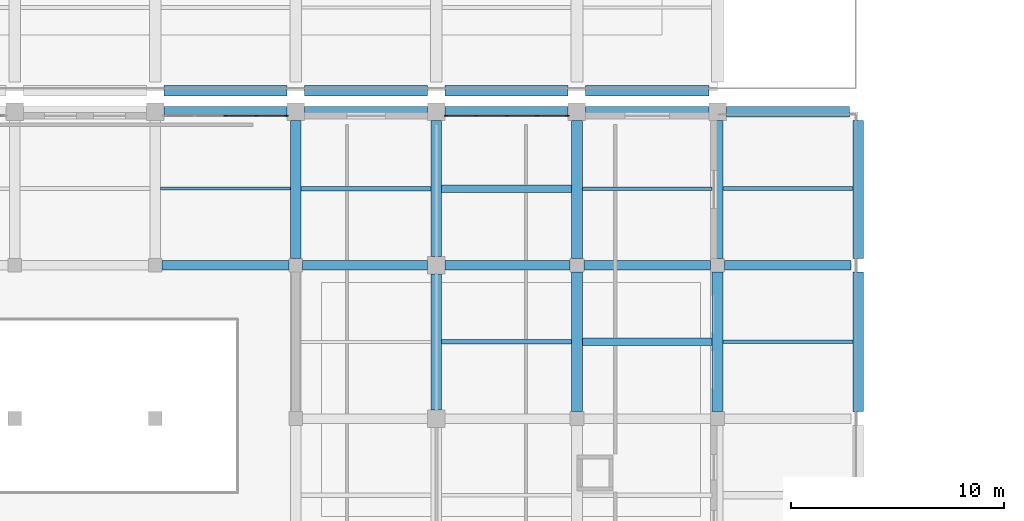
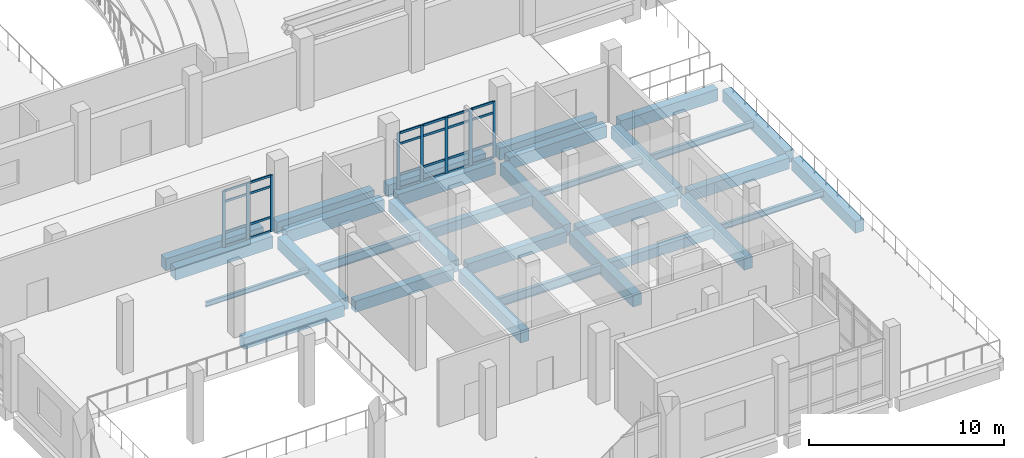
# One storey, part 7 of 54: 32 members, 31 beams, 2 elements without a shape of their own.
"""IFC4 building model written with IfcOpenShell, lengths in metres."""

from ifc_helpers import new_model, si_unit, direction, frame, origin, origin_2d, place, context, subcontext, project, spatial, rectangle, i_section, extrude, material, layer, layer_set, material_profile, profile_set, type_object, element, aggregate, save


model = new_model("IFC4")

# Units and contexts
model_context = context("Model", 3, precision=1e-05, world=origin(), true_north=direction((0.0, 1.0)))
body_context = subcontext(model_context, "Body", "Model", "MODEL_VIEW")
ifc_project = project(units=[si_unit("LENGTHUNIT", "METRE"), si_unit("AREAUNIT", "SQUARE_METRE"), si_unit("VOLUMEUNIT", "CUBIC_METRE"), si_unit("PLANEANGLEUNIT", "RADIAN"), si_unit("MASSUNIT", "GRAM", prefix="KILO")], contexts=[model_context])

# Site, building, storey
site_placement = place(None, origin())
site = spatial("IfcSite", under=ifc_project, at=site_placement, CompositionType="ELEMENT")
building_placement = place(site_placement, origin())
building = spatial("IfcBuilding", under=site, at=building_placement, Name="Kelarvand Opera House", CompositionType="ELEMENT")
storey_placement = place(building_placement, frame((0.0, 0.0, 15.0)))
storey = spatial("IfcBuildingStorey", under=building, at=storey_placement, Name="L03", CompositionType="ELEMENT", Elevation=15.0)

# Curtain wall, members
ifc_material_1 = material(Name="Thermally broken aluminium and low-E glazing", Category="aluminium")
ifc_layer = layer(ifc_material_1, 0.179931640625, Name="Thermally broken aluminium and low-E glazing", Category="aluminium")
ifc_layer_set = layer_set([ifc_layer], Name="Thermally broken aluminium and low-E glazing")
curtain_wall_type = type_object("IfcCurtainWallType", Name="Unitised Low-E Curtain Wall 5760x3530 Mod 1350 CWF-58", PredefinedType="USERDEFINED", material=ifc_layer_set)
curtain_wall_1_placement = place(storey_placement, origin())
curtain_wall_1 = element("IfcCurtainWall", 1, at=curtain_wall_1_placement, inside=storey, type_object=curtain_wall_type, Name="V6 L03 Curtain Wall CWF-58 (232)", ObjectType="UNITISED CURTAIN WALL", PredefinedType="USERDEFINED")
ifc_material_2 = material(Name="Thermally broken anodised aluminium", Category="aluminium")
ifc_material_profile_1 = material_profile(ifc_material_2, rectangle(XDim=0.06494140625, YDim=0.179931640625, at=origin_2d()), Name="ALU MULLION 65x180", Category="aluminium")
ifc_profile_set_1 = profile_set([ifc_material_profile_1], Name="Thermally broken anodised aluminium")
member_type_1 = type_object("IfcMemberType", Name="Curtain Wall Mullion 65x180 Aluminium", PredefinedType="MULLION", material=ifc_profile_set_1)
member_1_placement = place(storey_placement, frame((105.5, 37.6201171875, 0.0), z_axis=(0.0, 0.0, 1.0), x_axis=(0.0, 1.0, 0.0)))
member_1 = element("IfcMember", 2, at=member_1_placement, type_object=member_type_1, Name="CWF-58 mullion 3", PredefinedType="MULLION", context=body_context, shape_type="SweptSolid", body=[
    extrude(rectangle(XDim=0.06494140625, YDim=0.179931640625, at=origin_2d()), origin(), (0.0, 0.0, 1.0), 3.530029296875),
])
member_2_placement = place(storey_placement, frame((106.93994140625, 37.6201171875, 0.0), z_axis=(0.0, 0.0, 1.0), x_axis=(0.0, 1.0, 0.0)))
member_2 = element("IfcMember", 3, at=member_2_placement, type_object=member_type_1, Name="CWF-58 mullion 4", PredefinedType="MULLION", context=body_context, shape_type="SweptSolid", body=[
    extrude(rectangle(XDim=0.06494140625, YDim=0.179931640625, at=origin_2d()), origin(), (0.0, 0.0, 1.0), 3.530029296875),
])
member_3_placement = place(storey_placement, frame((108.347412109375, 37.6201171875, 0.0), z_axis=(0.0, 0.0, 1.0), x_axis=(0.0, 1.0, 0.0)))
member_3 = element("IfcMember", 4, at=member_3_placement, type_object=member_type_1, Name="CWF-58 mullion 5", PredefinedType="MULLION", context=body_context, shape_type="SweptSolid", body=[
    extrude(rectangle(XDim=0.06494140625, YDim=0.179931640625, at=origin_2d()), origin(), (0.0, 0.0, 1.0), 3.530029296875),
])

curtain_wall_2_placement = place(storey_placement, origin())
curtain_wall_2 = element("IfcCurtainWall", 5, at=curtain_wall_2_placement, inside=storey, type_object=curtain_wall_type, Name="V6 L03 Curtain Wall CWF-58 (233)", ObjectType="UNITISED CURTAIN WALL", PredefinedType="USERDEFINED")
member_4_placement = place(storey_placement, frame((115.8525390625, 37.6201171875, 0.0), z_axis=(0.0, 0.0, 1.0), x_axis=(0.0, 1.0, 0.0)))
member_4 = element("IfcMember", 6, at=member_4_placement, type_object=member_type_1, Name="CWF-58 mullion 1", PredefinedType="MULLION", context=body_context, shape_type="SweptSolid", body=[
    extrude(rectangle(XDim=0.06494140625, YDim=0.179931640625, at=origin_2d()), origin(), (0.0, 0.0, 1.0), 3.530029296875),
])
member_5_placement = place(storey_placement, frame((117.260009765625, 37.6201171875, 0.0), z_axis=(0.0, 0.0, 1.0), x_axis=(0.0, 1.0, 0.0)))
member_5 = element("IfcMember", 7, at=member_5_placement, type_object=member_type_1, Name="CWF-58 mullion 2", PredefinedType="MULLION", context=body_context, shape_type="SweptSolid", body=[
    extrude(rectangle(XDim=0.06494140625, YDim=0.179931640625, at=origin_2d()), origin(), (0.0, 0.0, 1.0), 3.530029296875),
])
member_6_placement = place(storey_placement, frame((118.699951171875, 37.6201171875, 0.0), z_axis=(0.0, 0.0, 1.0), x_axis=(0.0, 1.0, 0.0)))
member_6 = element("IfcMember", 8, at=member_6_placement, type_object=member_type_1, Name="CWF-58 mullion 3", PredefinedType="MULLION", context=body_context, shape_type="SweptSolid", body=[
    extrude(rectangle(XDim=0.06494140625, YDim=0.179931640625, at=origin_2d()), origin(), (0.0, 0.0, 1.0), 3.530029296875),
])
member_7_placement = place(storey_placement, frame((120.139892578125, 37.6201171875, 0.0), z_axis=(0.0, 0.0, 1.0), x_axis=(0.0, 1.0, 0.0)))
member_7 = element("IfcMember", 9, at=member_7_placement, type_object=member_type_1, Name="CWF-58 mullion 4", PredefinedType="MULLION", context=body_context, shape_type="SweptSolid", body=[
    extrude(rectangle(XDim=0.06494140625, YDim=0.179931640625, at=origin_2d()), origin(), (0.0, 0.0, 1.0), 3.530029296875),
])
member_8_placement = place(storey_placement, frame((121.547607421875, 37.6201171875, 0.0), z_axis=(0.0, 0.0, 1.0), x_axis=(0.0, 1.0, 0.0)))
member_8 = element("IfcMember", 10, at=member_8_placement, type_object=member_type_1, Name="CWF-58 mullion 5", PredefinedType="MULLION", context=body_context, shape_type="SweptSolid", body=[
    extrude(rectangle(XDim=0.06494140625, YDim=0.179931640625, at=origin_2d()), origin(), (0.0, 0.0, 1.0), 3.530029296875),
])

# Member
ifc_material_profile_2 = material_profile(ifc_material_2, rectangle(XDim=0.06494140625, YDim=0.139892578125, at=origin_2d()), Name="ALU TRANSOM 65x140", Category="aluminium")
ifc_profile_set_2 = profile_set([ifc_material_profile_2], Name="Thermally broken anodised aluminium")
member_type_2 = type_object("IfcMemberType", Name="Curtain Wall Transom 65x140 Aluminium", PredefinedType="USERDEFINED", material=ifc_profile_set_2)
member_9_placement = place(storey_placement, frame((105.532470703125, 37.6201171875, 0.032470703125), z_axis=(1.0, 0.0, 0.0), x_axis=(0.0, 1.0, 0.0)))
member_9 = element("IfcMember", 11, at=member_9_placement, type_object=member_type_2, Name="CWF-58 transom 3.1", ObjectType="TRANSOM", PredefinedType="USERDEFINED", context=body_context, shape_type="SweptSolid", body=[
    extrude(rectangle(XDim=0.06494140625, YDim=0.139892578125, at=origin_2d()), origin(), (0.0, 0.0, 1.0), 1.375),
])

member_10_placement = place(storey_placement, frame((105.532470703125, 37.6201171875, 0.89990234375), z_axis=(1.0, 0.0, 0.0), x_axis=(0.0, 1.0, 0.0)))
member_10 = element("IfcMember", 12, at=member_10_placement, type_object=member_type_2, Name="CWF-58 transom 3.2", ObjectType="TRANSOM", PredefinedType="USERDEFINED", context=body_context, shape_type="SweptSolid", body=[
    extrude(rectangle(XDim=0.06494140625, YDim=0.139892578125, at=origin_2d()), origin(), (0.0, 0.0, 1.0), 1.375),
])

member_11_placement = place(storey_placement, frame((105.532470703125, 37.6201171875, 2.830078125), z_axis=(1.0, 0.0, 0.0), x_axis=(0.0, 1.0, 0.0)))
member_11 = element("IfcMember", 13, at=member_11_placement, type_object=member_type_2, Name="CWF-58 transom 3.3", ObjectType="TRANSOM", PredefinedType="USERDEFINED", context=body_context, shape_type="SweptSolid", body=[
    extrude(rectangle(XDim=0.06494140625, YDim=0.139892578125, at=origin_2d()), origin(), (0.0, 0.0, 1.0), 1.375),
])

member_12_placement = place(storey_placement, frame((105.532470703125, 37.6201171875, 3.49755859375), z_axis=(1.0, 0.0, 0.0), x_axis=(0.0, 1.0, 0.0)))
member_12 = element("IfcMember", 14, at=member_12_placement, type_object=member_type_2, Name="CWF-58 transom 3.4", ObjectType="TRANSOM", PredefinedType="USERDEFINED", context=body_context, shape_type="SweptSolid", body=[
    extrude(rectangle(XDim=0.06494140625, YDim=0.139892578125, at=origin_2d()), origin(), (0.0, 0.0, 1.0), 1.375),
])

member_13_placement = place(storey_placement, frame((106.972412109375, 37.6201171875, 0.032470703125), z_axis=(1.0, 0.0, 0.0), x_axis=(0.0, 1.0, 0.0)))
member_13 = element("IfcMember", 15, at=member_13_placement, type_object=member_type_2, Name="CWF-58 transom 4.1", ObjectType="TRANSOM", PredefinedType="USERDEFINED", context=body_context, shape_type="SweptSolid", body=[
    extrude(rectangle(XDim=0.06494140625, YDim=0.139892578125, at=origin_2d()), origin(), (0.0, 0.0, 1.0), 1.342529296875),
])

member_14_placement = place(storey_placement, frame((106.972412109375, 37.6201171875, 0.89990234375), z_axis=(1.0, 0.0, 0.0), x_axis=(0.0, 1.0, 0.0)))
member_14 = element("IfcMember", 16, at=member_14_placement, type_object=member_type_2, Name="CWF-58 transom 4.2", ObjectType="TRANSOM", PredefinedType="USERDEFINED", context=body_context, shape_type="SweptSolid", body=[
    extrude(rectangle(XDim=0.06494140625, YDim=0.139892578125, at=origin_2d()), origin(), (0.0, 0.0, 1.0), 1.342529296875),
])

member_15_placement = place(storey_placement, frame((106.972412109375, 37.6201171875, 2.830078125), z_axis=(1.0, 0.0, 0.0), x_axis=(0.0, 1.0, 0.0)))
member_15 = element("IfcMember", 17, at=member_15_placement, type_object=member_type_2, Name="CWF-58 transom 4.3", ObjectType="TRANSOM", PredefinedType="USERDEFINED", context=body_context, shape_type="SweptSolid", body=[
    extrude(rectangle(XDim=0.06494140625, YDim=0.139892578125, at=origin_2d()), origin(), (0.0, 0.0, 1.0), 1.342529296875),
])

member_16_placement = place(storey_placement, frame((106.972412109375, 37.6201171875, 3.49755859375), z_axis=(1.0, 0.0, 0.0), x_axis=(0.0, 1.0, 0.0)))
member_16 = element("IfcMember", 18, at=member_16_placement, type_object=member_type_2, Name="CWF-58 transom 4.4", ObjectType="TRANSOM", PredefinedType="USERDEFINED", context=body_context, shape_type="SweptSolid", body=[
    extrude(rectangle(XDim=0.06494140625, YDim=0.139892578125, at=origin_2d()), origin(), (0.0, 0.0, 1.0), 1.342529296875),
])

aggregate(curtain_wall_1, [member_1, member_2, member_3, member_9, member_10, member_11, member_12, member_13, member_14, member_15, member_16])

member_17_placement = place(storey_placement, frame((115.885009765625, 37.6201171875, 0.032470703125), z_axis=(1.0, 0.0, 0.0), x_axis=(0.0, 1.0, 0.0)))
member_17 = element("IfcMember", 19, at=member_17_placement, type_object=member_type_2, Name="CWF-58 transom 1.1", ObjectType="TRANSOM", PredefinedType="USERDEFINED", context=body_context, shape_type="SweptSolid", body=[
    extrude(rectangle(XDim=0.06494140625, YDim=0.139892578125, at=origin_2d()), origin(), (0.0, 0.0, 1.0), 1.342529296875),
])

member_18_placement = place(storey_placement, frame((115.885009765625, 37.6201171875, 0.89990234375), z_axis=(1.0, 0.0, 0.0), x_axis=(0.0, 1.0, 0.0)))
member_18 = element("IfcMember", 20, at=member_18_placement, type_object=member_type_2, Name="CWF-58 transom 1.2", ObjectType="TRANSOM", PredefinedType="USERDEFINED", context=body_context, shape_type="SweptSolid", body=[
    extrude(rectangle(XDim=0.06494140625, YDim=0.139892578125, at=origin_2d()), origin(), (0.0, 0.0, 1.0), 1.342529296875),
])

member_19_placement = place(storey_placement, frame((115.885009765625, 37.6201171875, 2.830078125), z_axis=(1.0, 0.0, 0.0), x_axis=(0.0, 1.0, 0.0)))
member_19 = element("IfcMember", 21, at=member_19_placement, type_object=member_type_2, Name="CWF-58 transom 1.3", ObjectType="TRANSOM", PredefinedType="USERDEFINED", context=body_context, shape_type="SweptSolid", body=[
    extrude(rectangle(XDim=0.06494140625, YDim=0.139892578125, at=origin_2d()), origin(), (0.0, 0.0, 1.0), 1.342529296875),
])

member_20_placement = place(storey_placement, frame((115.885009765625, 37.6201171875, 3.49755859375), z_axis=(1.0, 0.0, 0.0), x_axis=(0.0, 1.0, 0.0)))
member_20 = element("IfcMember", 22, at=member_20_placement, type_object=member_type_2, Name="CWF-58 transom 1.4", ObjectType="TRANSOM", PredefinedType="USERDEFINED", context=body_context, shape_type="SweptSolid", body=[
    extrude(rectangle(XDim=0.06494140625, YDim=0.139892578125, at=origin_2d()), origin(), (0.0, 0.0, 1.0), 1.342529296875),
])

member_21_placement = place(storey_placement, frame((117.29248046875, 37.6201171875, 0.032470703125), z_axis=(1.0, 0.0, 0.0), x_axis=(0.0, 1.0, 0.0)))
member_21 = element("IfcMember", 23, at=member_21_placement, type_object=member_type_2, Name="CWF-58 transom 2.1", ObjectType="TRANSOM", PredefinedType="USERDEFINED", context=body_context, shape_type="SweptSolid", body=[
    extrude(rectangle(XDim=0.06494140625, YDim=0.139892578125, at=origin_2d()), origin(), (0.0, 0.0, 1.0), 1.375),
])

member_22_placement = place(storey_placement, frame((117.29248046875, 37.6201171875, 0.89990234375), z_axis=(1.0, 0.0, 0.0), x_axis=(0.0, 1.0, 0.0)))
member_22 = element("IfcMember", 24, at=member_22_placement, type_object=member_type_2, Name="CWF-58 transom 2.2", ObjectType="TRANSOM", PredefinedType="USERDEFINED", context=body_context, shape_type="SweptSolid", body=[
    extrude(rectangle(XDim=0.06494140625, YDim=0.139892578125, at=origin_2d()), origin(), (0.0, 0.0, 1.0), 1.375),
])

member_23_placement = place(storey_placement, frame((117.29248046875, 37.6201171875, 2.830078125), z_axis=(1.0, 0.0, 0.0), x_axis=(0.0, 1.0, 0.0)))
member_23 = element("IfcMember", 25, at=member_23_placement, type_object=member_type_2, Name="CWF-58 transom 2.3", ObjectType="TRANSOM", PredefinedType="USERDEFINED", context=body_context, shape_type="SweptSolid", body=[
    extrude(rectangle(XDim=0.06494140625, YDim=0.139892578125, at=origin_2d()), origin(), (0.0, 0.0, 1.0), 1.375),
])

member_24_placement = place(storey_placement, frame((117.29248046875, 37.6201171875, 3.49755859375), z_axis=(1.0, 0.0, 0.0), x_axis=(0.0, 1.0, 0.0)))
member_24 = element("IfcMember", 26, at=member_24_placement, type_object=member_type_2, Name="CWF-58 transom 2.4", ObjectType="TRANSOM", PredefinedType="USERDEFINED", context=body_context, shape_type="SweptSolid", body=[
    extrude(rectangle(XDim=0.06494140625, YDim=0.139892578125, at=origin_2d()), origin(), (0.0, 0.0, 1.0), 1.375),
])

member_25_placement = place(storey_placement, frame((118.732421875, 37.6201171875, 0.032470703125), z_axis=(1.0, 0.0, 0.0), x_axis=(0.0, 1.0, 0.0)))
member_25 = element("IfcMember", 27, at=member_25_placement, type_object=member_type_2, Name="CWF-58 transom 3.1", ObjectType="TRANSOM", PredefinedType="USERDEFINED", context=body_context, shape_type="SweptSolid", body=[
    extrude(rectangle(XDim=0.06494140625, YDim=0.139892578125, at=origin_2d()), origin(), (0.0, 0.0, 1.0), 1.375),
])

member_26_placement = place(storey_placement, frame((118.732421875, 37.6201171875, 0.89990234375), z_axis=(1.0, 0.0, 0.0), x_axis=(0.0, 1.0, 0.0)))
member_26 = element("IfcMember", 28, at=member_26_placement, type_object=member_type_2, Name="CWF-58 transom 3.2", ObjectType="TRANSOM", PredefinedType="USERDEFINED", context=body_context, shape_type="SweptSolid", body=[
    extrude(rectangle(XDim=0.06494140625, YDim=0.139892578125, at=origin_2d()), origin(), (0.0, 0.0, 1.0), 1.375),
])

member_27_placement = place(storey_placement, frame((118.732421875, 37.6201171875, 2.830078125), z_axis=(1.0, 0.0, 0.0), x_axis=(0.0, 1.0, 0.0)))
member_27 = element("IfcMember", 29, at=member_27_placement, type_object=member_type_2, Name="CWF-58 transom 3.3", ObjectType="TRANSOM", PredefinedType="USERDEFINED", context=body_context, shape_type="SweptSolid", body=[
    extrude(rectangle(XDim=0.06494140625, YDim=0.139892578125, at=origin_2d()), origin(), (0.0, 0.0, 1.0), 1.375),
])

member_28_placement = place(storey_placement, frame((118.732421875, 37.6201171875, 3.49755859375), z_axis=(1.0, 0.0, 0.0), x_axis=(0.0, 1.0, 0.0)))
member_28 = element("IfcMember", 30, at=member_28_placement, type_object=member_type_2, Name="CWF-58 transom 3.4", ObjectType="TRANSOM", PredefinedType="USERDEFINED", context=body_context, shape_type="SweptSolid", body=[
    extrude(rectangle(XDim=0.06494140625, YDim=0.139892578125, at=origin_2d()), origin(), (0.0, 0.0, 1.0), 1.375),
])

member_29_placement = place(storey_placement, frame((120.172607421875, 37.6201171875, 0.032470703125), z_axis=(1.0, 0.0, 0.0), x_axis=(0.0, 1.0, 0.0)))
member_29 = element("IfcMember", 31, at=member_29_placement, type_object=member_type_2, Name="CWF-58 transom 4.1", ObjectType="TRANSOM", PredefinedType="USERDEFINED", context=body_context, shape_type="SweptSolid", body=[
    extrude(rectangle(XDim=0.06494140625, YDim=0.139892578125, at=origin_2d()), origin(), (0.0, 0.0, 1.0), 1.34228515625),
])

member_30_placement = place(storey_placement, frame((120.172607421875, 37.6201171875, 0.89990234375), z_axis=(1.0, 0.0, 0.0), x_axis=(0.0, 1.0, 0.0)))
member_30 = element("IfcMember", 32, at=member_30_placement, type_object=member_type_2, Name="CWF-58 transom 4.2", ObjectType="TRANSOM", PredefinedType="USERDEFINED", context=body_context, shape_type="SweptSolid", body=[
    extrude(rectangle(XDim=0.06494140625, YDim=0.139892578125, at=origin_2d()), origin(), (0.0, 0.0, 1.0), 1.34228515625),
])

member_31_placement = place(storey_placement, frame((120.172607421875, 37.6201171875, 2.830078125), z_axis=(1.0, 0.0, 0.0), x_axis=(0.0, 1.0, 0.0)))
member_31 = element("IfcMember", 33, at=member_31_placement, type_object=member_type_2, Name="CWF-58 transom 4.3", ObjectType="TRANSOM", PredefinedType="USERDEFINED", context=body_context, shape_type="SweptSolid", body=[
    extrude(rectangle(XDim=0.06494140625, YDim=0.139892578125, at=origin_2d()), origin(), (0.0, 0.0, 1.0), 1.34228515625),
])

member_32_placement = place(storey_placement, frame((120.172607421875, 37.6201171875, 3.49755859375), z_axis=(1.0, 0.0, 0.0), x_axis=(0.0, 1.0, 0.0)))
member_32 = element("IfcMember", 34, at=member_32_placement, type_object=member_type_2, Name="CWF-58 transom 4.4", ObjectType="TRANSOM", PredefinedType="USERDEFINED", context=body_context, shape_type="SweptSolid", body=[
    extrude(rectangle(XDim=0.06494140625, YDim=0.139892578125, at=origin_2d()), origin(), (0.0, 0.0, 1.0), 1.34228515625),
])

aggregate(curtain_wall_2, [member_4, member_5, member_6, member_7, member_8, member_17, member_18, member_19, member_20, member_21, member_22, member_23, member_24, member_25, member_26, member_27, member_28, member_29, member_30, member_31, member_32])

# Beams
ifc_material_3 = material(Name="Concrete C35/45", Category="concrete")
ifc_material_profile_3 = material_profile(ifc_material_3, rectangle(XDim=0.35009765625, YDim=0.60009765625, at=origin_2d()), Name="RC 350x600", Category="concrete")
ifc_profile_set_3 = profile_set([ifc_material_profile_3], Name="Concrete C35/45")
beam_type_1 = type_object("IfcBeamType", Name="Structural Beam RC 350x600 BM-RC350x600", PredefinedType="BEAM", material=ifc_profile_set_3)
for number, where, z_axis, x_axis, name in (
    (35, (115.64990234375, 34.199951171875, -0.60009765625), (1.0, 0.0, 0.0), (0.0, 1.0, 0.0), "V6 L03 Beam BM-RC350x600"),
    (36, (122.25, 27.0, -0.60009765625), (1.0, 0.0, 0.0), (0.0, 1.0, 0.0), "V6 L03 Beam BM-RC350x600"),
):
    element("IfcBeam", number, at=place(storey_placement, frame(where, z_axis=z_axis, x_axis=x_axis)), inside=storey, type_object=beam_type_1, Name=name, PredefinedType="BEAM", context=body_context, shape_type="SweptSolid", body=[
        extrude(rectangle(XDim=0.35009765625, YDim=0.60009765625, at=origin_2d()), origin(), (0.0, 0.0, 1.0), 6.10009765625),
    ])
ifc_material_4 = material(Name="Concrete C40/50", Category="concrete")
ifc_material_profile_4 = material_profile(ifc_material_4, rectangle(XDim=0.449951171875, YDim=0.699951171875, at=origin_2d()), Name="RC 450x700", Category="concrete")
ifc_profile_set_4 = profile_set([ifc_material_profile_4], Name="Concrete C40/50")
beam_type_2 = type_object("IfcBeamType", Name="Structural Beam RC 450x700 BM-RC450x700", PredefinedType="BEAM", material=ifc_profile_set_4)
beam_1_placement = place(storey_placement, frame((102.52490234375, 30.60009765625, -0.64990234375), z_axis=(1.0, 0.0, 0.0), x_axis=(0.0, 1.0, 0.0)))
element("IfcBeam", 37, at=beam_1_placement, inside=storey, type_object=beam_type_2, Name="V6 L03 Beam BM-RC450x700", PredefinedType="BEAM", context=body_context, shape_type="SweptSolid", body=[
    extrude(rectangle(XDim=0.449951171875, YDim=0.699951171875, at=origin_2d()), origin(), (0.0, 0.0, 1.0), 5.9501953125),
])
for number, where, z_axis, x_axis, name in (
    (38, (109.125, 30.60009765625, -0.64990234375), (1.0, 0.0, 0.0), (0.0, 1.0, 0.0), "V6 L03 Beam BM-RC450x700"),
    (39, (115.81005859375, 30.60009765625, -0.64990234375), (1.0, 0.0, 0.0), (0.0, 1.0, 0.0), "V6 L03 Beam BM-RC450x700"),
):
    element("IfcBeam", number, at=place(storey_placement, frame(where, z_axis=z_axis, x_axis=x_axis)), inside=storey, type_object=beam_type_2, Name=name, PredefinedType="BEAM", context=body_context, shape_type="SweptSolid", body=[
        extrude(rectangle(XDim=0.449951171875, YDim=0.699951171875, at=origin_2d()), origin(), (0.0, 0.0, 1.0), 5.864990234375),
    ])
for number, where, z_axis, x_axis, name in (
    (40, (122.324951171875, 30.60009765625, -0.64990234375), (1.0, 0.0, 0.0), (0.0, 1.0, 0.0), "V6 L03 Beam BM-RC450x700"),
    (41, (128.925048828125, 30.60009765625, -0.64990234375), (1.0, 0.0, 0.0), (0.0, 1.0, 0.0), "V6 L03 Beam BM-RC450x700"),
):
    element("IfcBeam", number, at=place(storey_placement, frame(where, z_axis=z_axis, x_axis=x_axis)), inside=storey, type_object=beam_type_2, Name=name, PredefinedType="BEAM", context=body_context, shape_type="SweptSolid", body=[
        extrude(rectangle(XDim=0.449951171875, YDim=0.699951171875, at=origin_2d()), origin(), (0.0, 0.0, 1.0), 5.949951171875),
    ])
ifc_material_profile_5 = material_profile(ifc_material_4, rectangle(XDim=0.5, YDim=0.75, at=origin_2d()), Name="RC 500x750", Category="concrete")
ifc_profile_set_5 = profile_set([ifc_material_profile_5], Name="Concrete C40/50")
beam_type_3 = type_object("IfcBeamType", Name="Structural Beam RC 500x750 BM-RC500x750", PredefinedType="BEAM", material=ifc_profile_set_5)
beam_2_placement = place(storey_placement, frame((108.800048828125, 30.925048828125, -0.675048828125), z_axis=(0.0, 1.0, 0.0), x_axis=(-1.0, 0.0, 0.0)))
element("IfcBeam", 42, at=beam_2_placement, inside=storey, type_object=beam_type_3, Name="V6 L03 Beam BM-RC500x750", PredefinedType="BEAM", context=body_context, shape_type="SweptSolid", body=[
    extrude(rectangle(XDim=0.5, YDim=0.75, at=origin_2d()), origin(), (0.0, 0.0, 1.0), 6.46484375),
])
for number, where, z_axis, x_axis, name in (
    (43, (115.39990234375, 23.81005859375, -0.675048828125), (0.0, 1.0, 0.0), (-1.0, 0.0, 0.0), "V6 L03 Beam BM-RC500x750"),
    (44, (115.39990234375, 31.010009765625, -0.675048828125), (0.0, 1.0, 0.0), (-1.0, 0.0, 0.0), "V6 L03 Beam BM-RC500x750"),
):
    element("IfcBeam", number, at=place(storey_placement, frame(where, z_axis=z_axis, x_axis=x_axis)), inside=storey, type_object=beam_type_3, Name=name, PredefinedType="BEAM", context=body_context, shape_type="SweptSolid", body=[
        extrude(rectangle(XDim=0.5, YDim=0.75, at=origin_2d()), origin(), (0.0, 0.0, 1.0), 6.3798828125),
    ])
beam_3_placement = place(storey_placement, frame((122.0, 23.72509765625, -0.675048828125), z_axis=(0.0, 1.0, 0.0), x_axis=(-1.0, 0.0, 0.0)))
element("IfcBeam", 45, at=beam_3_placement, inside=storey, type_object=beam_type_3, Name="V6 L03 Beam BM-RC500x750", PredefinedType="BEAM", context=body_context, shape_type="SweptSolid", body=[
    extrude(rectangle(XDim=0.5, YDim=0.75, at=origin_2d()), origin(), (0.0, 0.0, 1.0), 6.5498046875),
])
beam_4_placement = place(storey_placement, frame((122.0, 30.925048828125, -0.675048828125), z_axis=(0.0, 1.0, 0.0), x_axis=(-1.0, 0.0, 0.0)))
element("IfcBeam", 46, at=beam_4_placement, inside=storey, type_object=beam_type_3, Name="V6 L03 Beam BM-RC500x750", PredefinedType="BEAM", context=body_context, shape_type="SweptSolid", body=[
    extrude(rectangle(XDim=0.5, YDim=0.75, at=origin_2d()), origin(), (0.0, 0.0, 1.0), 6.46484375),
])
beam_5_placement = place(storey_placement, frame((128.60009765625, 23.72509765625, -0.675048828125), z_axis=(0.0, 1.0, 0.0), x_axis=(-1.0, 0.0, 0.0)))
element("IfcBeam", 47, at=beam_5_placement, inside=storey, type_object=beam_type_3, Name="V6 L03 Beam BM-RC500x750", PredefinedType="BEAM", context=body_context, shape_type="SweptSolid", body=[
    extrude(rectangle(XDim=0.5, YDim=0.75, at=origin_2d()), origin(), (0.0, 0.0, 1.0), 6.5498046875),
])
beam_6_placement = place(storey_placement, frame((128.60009765625, 30.925048828125, -0.675048828125), z_axis=(0.0, 1.0, 0.0), x_axis=(-1.0, 0.0, 0.0)))
element("IfcBeam", 48, at=beam_6_placement, inside=storey, type_object=beam_type_3, Name="V6 L03 Beam BM-RC500x750", PredefinedType="BEAM", context=body_context, shape_type="SweptSolid", body=[
    extrude(rectangle(XDim=0.5, YDim=0.75, at=origin_2d()), origin(), (0.0, 0.0, 1.0), 6.46484375),
])
beam_7_placement = place(storey_placement, frame((135.199951171875, 23.72509765625, -0.675048828125), z_axis=(0.0, 1.0, 0.0), x_axis=(-1.0, 0.0, 0.0)))
element("IfcBeam", 49, at=beam_7_placement, inside=storey, type_object=beam_type_3, Name="V6 L03 Beam BM-RC500x750", PredefinedType="BEAM", context=body_context, shape_type="SweptSolid", body=[
    extrude(rectangle(XDim=0.5, YDim=0.75, at=origin_2d()), origin(), (0.0, 0.0, 1.0), 6.5498046875),
])
beam_8_placement = place(storey_placement, frame((135.199951171875, 30.925048828125, -0.675048828125), z_axis=(0.0, 1.0, 0.0), x_axis=(-1.0, 0.0, 0.0)))
element("IfcBeam", 50, at=beam_8_placement, inside=storey, type_object=beam_type_3, Name="V6 L03 Beam BM-RC500x750", PredefinedType="BEAM", context=body_context, shape_type="SweptSolid", body=[
    extrude(rectangle(XDim=0.5, YDim=0.75, at=origin_2d()), origin(), (0.0, 0.0, 1.0), 6.46484375),
])
ifc_material_5 = material(Name="Steel S355", Category="steel")
ifc_material_profile_6 = material_profile(ifc_material_5, i_section(OverallWidth=0.14990234375, OverallDepth=0.300048828125, WebThickness=0.007080078125, FlangeThickness=0.0107421875, at=origin_2d()), Name="IPE 300", Category="steel")
ifc_profile_set_6 = profile_set([ifc_material_profile_6], Name="Steel S355")
beam_type_4 = type_object("IfcBeamType", Name="Structural Joist IPE 300 JS-IPE300", PredefinedType="JOIST", material=ifc_profile_set_6)
beam_9_placement = place(storey_placement, frame((102.449951171875, 34.199951171875, -0.449951171875), z_axis=(1.0, 0.0, 0.0), x_axis=(0.0, 1.0, 0.0)))
element("IfcBeam", 51, at=beam_9_placement, inside=storey, type_object=beam_type_4, Name="V6 L03 Beam JS-IPE300", PredefinedType="JOIST", context=body_context, shape_type="SweptSolid", body=[
    extrude(i_section(OverallWidth=0.14990234375, OverallDepth=0.300048828125, WebThickness=0.007080078125, FlangeThickness=0.0107421875, at=origin_2d()), origin(), (0.0, 0.0, 1.0), 6.10009765625),
])
ifc_material_profile_7 = material_profile(ifc_material_5, i_section(OverallWidth=0.169921875, OverallDepth=0.360107421875, WebThickness=0.008056640625, FlangeThickness=0.0126953125, at=origin_2d()), Name="IPE 360", Category="steel")
ifc_profile_set_7 = profile_set([ifc_material_profile_7], Name="Steel S355")
beam_type_5 = type_object("IfcBeamType", Name="Structural Joist IPE 360 JS-IPE360", PredefinedType="JOIST", material=ifc_profile_set_7)
beam_10_placement = place(storey_placement, frame((122.25, 34.199951171875, -0.47998046875), z_axis=(1.0, 0.0, 0.0), x_axis=(0.0, 1.0, 0.0)))
element("IfcBeam", 52, at=beam_10_placement, inside=storey, type_object=beam_type_5, Name="V6 L03 Beam JS-IPE360", PredefinedType="JOIST", context=body_context, shape_type="SweptSolid", body=[
    extrude(i_section(OverallWidth=0.169921875, OverallDepth=0.360107421875, WebThickness=0.008056640625, FlangeThickness=0.0126953125, at=origin_2d()), origin(), (0.0, 0.0, 1.0), 6.10009765625),
])
beam_11_placement = place(storey_placement, frame((128.85009765625, 27.0, -0.47998046875), z_axis=(1.0, 0.0, 0.0), x_axis=(0.0, 1.0, 0.0)))
element("IfcBeam", 53, at=beam_11_placement, inside=storey, type_object=beam_type_5, Name="V6 L03 Beam JS-IPE360", PredefinedType="JOIST", context=body_context, shape_type="SweptSolid", body=[
    extrude(i_section(OverallWidth=0.169921875, OverallDepth=0.360107421875, WebThickness=0.008056640625, FlangeThickness=0.0126953125, at=origin_2d()), origin(), (0.0, 0.0, 1.0), 6.099853515625),
])
ifc_material_profile_8 = material_profile(ifc_material_5, i_section(OverallWidth=0.179931640625, OverallDepth=0.39990234375, WebThickness=0.008544921875, FlangeThickness=0.013427734375, at=origin_2d()), Name="IPE 400", Category="steel")
ifc_profile_set_8 = profile_set([ifc_material_profile_8], Name="Steel S355")
beam_type_6 = type_object("IfcBeamType", Name="Structural Joist IPE 400 JS-IPE400", PredefinedType="JOIST", material=ifc_profile_set_8)
beam_12_placement = place(storey_placement, frame((128.85009765625, 34.199951171875, -0.5), z_axis=(1.0, 0.0, 0.0), x_axis=(0.0, 1.0, 0.0)))
element("IfcBeam", 54, at=beam_12_placement, inside=storey, type_object=beam_type_6, Name="V6 L03 Beam JS-IPE400", PredefinedType="JOIST", context=body_context, shape_type="SweptSolid", body=[
    extrude(i_section(OverallWidth=0.179931640625, OverallDepth=0.39990234375, WebThickness=0.008544921875, FlangeThickness=0.013427734375, at=origin_2d()), origin(), (0.0, 0.0, 1.0), 6.099853515625),
])
ifc_material_profile_9 = material_profile(ifc_material_5, i_section(OverallWidth=0.2099609375, OverallDepth=0.550048828125, WebThickness=0.010986328125, FlangeThickness=0.01708984375, at=origin_2d()), Name="IPE 550", Category="steel")
ifc_profile_set_9 = profile_set([ifc_material_profile_9], Name="Steel S355")
beam_type_7 = type_object("IfcBeamType", Name="Structural Joist IPE 550 JS-IPE550", PredefinedType="JOIST", material=ifc_profile_set_9)
beam_13_placement = place(storey_placement, frame((109.050048828125, 34.199951171875, -0.574951171875), z_axis=(1.0, 0.0, 0.0), x_axis=(0.0, 1.0, 0.0)))
element("IfcBeam", 55, at=beam_13_placement, inside=storey, type_object=beam_type_7, Name="V6 L03 Beam JS-IPE550", PredefinedType="JOIST", context=body_context, shape_type="SweptSolid", body=[
    extrude(i_section(OverallWidth=0.2099609375, OverallDepth=0.550048828125, WebThickness=0.010986328125, FlangeThickness=0.01708984375, at=origin_2d()), origin(), (0.0, 0.0, 1.0), 6.099853515625),
])
beam_14_placement = place(storey_placement, frame((115.64990234375, 27.0, -0.574951171875), z_axis=(1.0, 0.0, 0.0), x_axis=(0.0, 1.0, 0.0)))
element("IfcBeam", 56, at=beam_14_placement, inside=storey, type_object=beam_type_7, Name="V6 L03 Beam JS-IPE550", PredefinedType="JOIST", context=body_context, shape_type="SweptSolid", body=[
    extrude(i_section(OverallWidth=0.2099609375, OverallDepth=0.550048828125, WebThickness=0.010986328125, FlangeThickness=0.01708984375, at=origin_2d()), origin(), (0.0, 0.0, 1.0), 6.10009765625),
])
ifc_material_profile_10 = material_profile(ifc_material_4, rectangle(XDim=0.5, YDim=0.75, at=origin_2d()), Name="RC 500x750", Category="concrete")
ifc_profile_set_10 = profile_set([ifc_material_profile_10], Name="Concrete C40/50")
beam_type_8 = type_object("IfcBeamType", Name="Structural Spandrel RC 500x750 SP-RC500x750E", PredefinedType="SPANDREL", material=ifc_profile_set_10)
beam_15_placement = place(storey_placement, frame((102.610107421875, 38.800048828125, -0.695068359375), z_axis=(1.0, 0.0, 0.0), x_axis=(0.0, 1.0, 0.0)))
element("IfcBeam", 57, at=beam_15_placement, inside=storey, type_object=beam_type_8, Name="V1 L03 Beam SP-RC500x750E", PredefinedType="SPANDREL", context=body_context, shape_type="SweptSolid", body=[
    extrude(rectangle(XDim=0.5, YDim=0.75, at=origin_2d()), origin(), (0.0, 0.0, 1.0), 5.77978515625),
])
for number, where, z_axis, x_axis, name in (
    (58, (109.2099609375, 38.800048828125, -0.695068359375), (1.0, 0.0, 0.0), (0.0, 1.0, 0.0), "V1 L03 Beam SP-RC500x750E"),
    (59, (115.81005859375, 38.800048828125, -0.695068359375), (1.0, 0.0, 0.0), (0.0, 1.0, 0.0), "V1 L03 Beam SP-RC500x750E"),
    (60, (122.409912109375, 38.800048828125, -0.695068359375), (1.0, 0.0, 0.0), (0.0, 1.0, 0.0), "V1 L03 Beam SP-RC500x750E"),
):
    element("IfcBeam", number, at=place(storey_placement, frame(where, z_axis=z_axis, x_axis=x_axis)), inside=storey, type_object=beam_type_8, Name=name, PredefinedType="SPANDREL", context=body_context, shape_type="SweptSolid", body=[
        extrude(rectangle(XDim=0.5, YDim=0.75, at=origin_2d()), origin(), (0.0, 0.0, 1.0), 5.780029296875),
    ])
beam_16_placement = place(storey_placement, frame((102.610107421875, 37.800048828125, -0.675048828125), z_axis=(1.0, 0.0, 0.0), x_axis=(0.0, 1.0, 0.0)))
element("IfcBeam", 61, at=beam_16_placement, inside=storey, type_object=beam_type_8, Name="V6 L03 Beam SP-RC500x750E", PredefinedType="SPANDREL", context=body_context, shape_type="SweptSolid", body=[
    extrude(rectangle(XDim=0.5, YDim=0.75, at=origin_2d()), origin(), (0.0, 0.0, 1.0), 5.77978515625),
])
for number, where, z_axis, x_axis, name in (
    (62, (109.2099609375, 37.800048828125, -0.675048828125), (1.0, 0.0, 0.0), (0.0, 1.0, 0.0), "V6 L03 Beam SP-RC500x750E"),
    (63, (115.81005859375, 37.800048828125, -0.675048828125), (1.0, 0.0, 0.0), (0.0, 1.0, 0.0), "V6 L03 Beam SP-RC500x750E"),
    (64, (122.409912109375, 37.800048828125, -0.675048828125), (1.0, 0.0, 0.0), (0.0, 1.0, 0.0), "V6 L03 Beam SP-RC500x750E"),
    (65, (129.010009765625, 37.800048828125, -0.675048828125), (1.0, 0.0, 0.0), (0.0, 1.0, 0.0), "V6 L03 Beam SP-RC500x750E"),
):
    element("IfcBeam", number, at=place(storey_placement, frame(where, z_axis=z_axis, x_axis=x_axis)), inside=storey, type_object=beam_type_8, Name=name, PredefinedType="SPANDREL", context=body_context, shape_type="SweptSolid", body=[
        extrude(rectangle(XDim=0.5, YDim=0.75, at=origin_2d()), origin(), (0.0, 0.0, 1.0), 5.780029296875),
    ])

save(model, "model.ifc")
